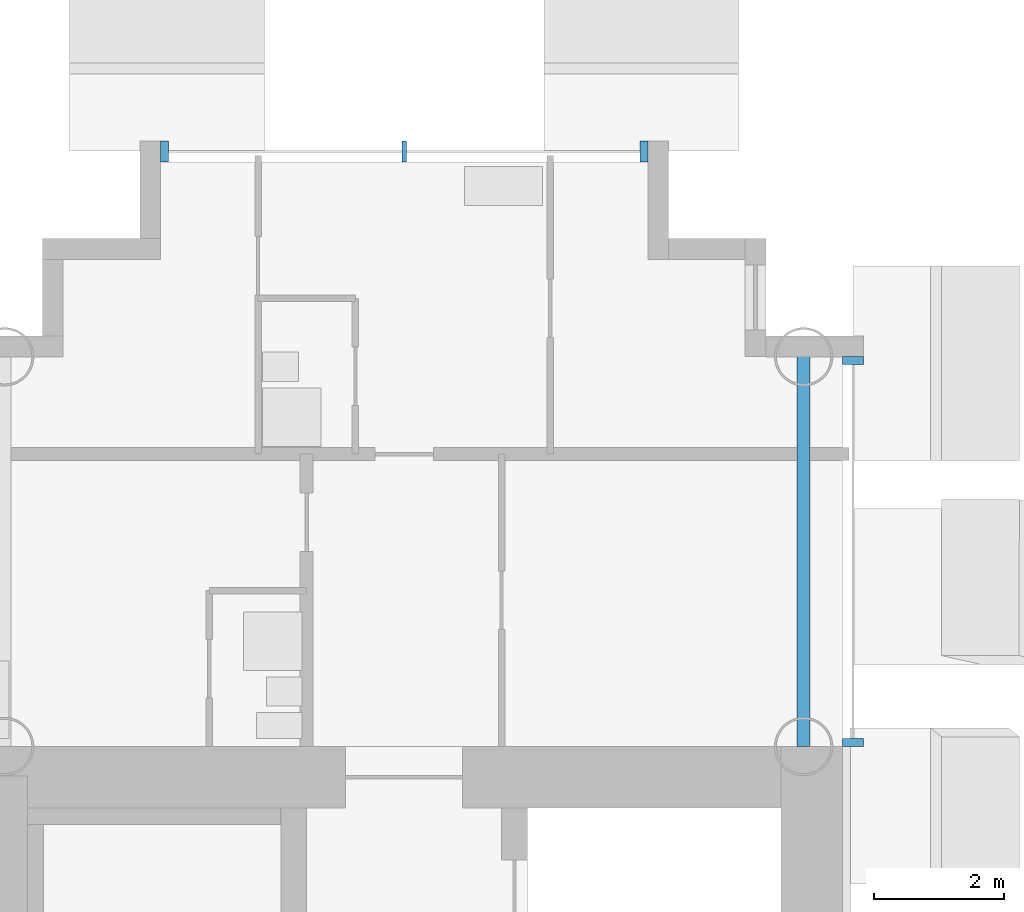
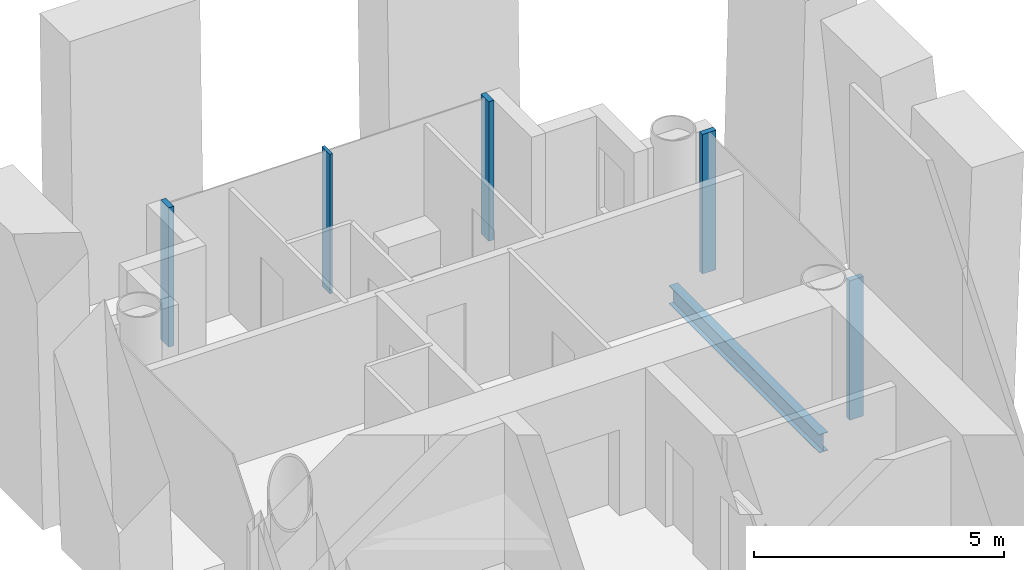
# One storey, part 6 of 20: 5 members, 1 beam, 2 elements without a shape of their own.
"""IFC4 building model written with IfcOpenShell, lengths in metres."""

from ifc_helpers import new_model, si_unit, direction, frame, origin, origin_2d, place, context, subcontext, project, spatial, rectangle, i_section, extrude, material, layer, layer_set, material_profile, profile_set, type_object, element, aggregate, save


model = new_model("IFC4")

# Units and contexts
model_context = context("Model", 3, precision=1e-05, world=origin(), true_north=direction((0.0, 1.0)))
body_context = subcontext(model_context, "Body", "Model", "MODEL_VIEW")
ifc_project = project(units=[si_unit("LENGTHUNIT", "METRE"), si_unit("AREAUNIT", "SQUARE_METRE"), si_unit("VOLUMEUNIT", "CUBIC_METRE"), si_unit("PLANEANGLEUNIT", "RADIAN"), si_unit("MASSUNIT", "GRAM", prefix="KILO")], contexts=[model_context])

# Site, building, storey
site_placement = place(None, origin())
site = spatial("IfcSite", under=ifc_project, at=site_placement, CompositionType="ELEMENT")
building_placement = place(site_placement, origin())
building = spatial("IfcBuilding", under=site, at=building_placement, Name="Ipe Terrace Towers", CompositionType="ELEMENT")
storey_placement = place(building_placement, frame((0.0, 0.0, 120.800048828125)))
storey = spatial("IfcBuildingStorey", under=building, at=storey_placement, Name="L33", CompositionType="ELEMENT", Elevation=120.800048828125)

# Beam
ifc_material_1 = material(Name="Steel S355", Category="steel")
ifc_material_profile_1 = material_profile(ifc_material_1, i_section(OverallWidth=0.199951171875, OverallDepth=0.449951171875, WebThickness=0.009033203125, FlangeThickness=0.013916015625, at=origin_2d()), Name="H-450x200x9x14")
ifc_profile_set_1 = profile_set([ifc_material_profile_1], Name="Steel S355")
beam_type = type_object("IfcBeamType", Name="H08 EDGE BEAM H-450x200x9x14", PredefinedType="BEAM", material=ifc_profile_set_1)
beam_placement = place(storey_placement, frame((42.14990234375, 15.75, -0.625), z_axis=(0.0, 1.0, 0.0), x_axis=(-1.0, 0.0, 0.0)))
element("IfcBeam", 1, at=beam_placement, inside=storey, type_object=beam_type, Name="Edge beam T2-EB-A01-A03", PredefinedType="BEAM", context=body_context, shape_type="SweptSolid", body=[
    extrude(i_section(OverallWidth=0.199951171875, OverallDepth=0.449951171875, WebThickness=0.009033203125, FlangeThickness=0.013916015625, at=origin_2d()), origin(), (0.0, 0.0, 1.0), 6.0),
])

# Curtain wall, members
ifc_material_2 = material(Name="Aluminium alloy 6063-T6", Category="aluminium")
ifc_layer = layer(ifc_material_2, 0.320068359375)
ifc_layer_set = layer_set([ifc_layer], Name="TOWER UNITISED CURTAIN WALL")
curtain_wall_type = type_object("IfcCurtainWallType", Name="TOWER UNITISED CURTAIN WALL", PredefinedType="NOTDEFINED", material=ifc_layer_set)
curtain_wall_1_placement = place(storey_placement, origin())
curtain_wall_1 = element("IfcCurtainWall", 2, at=curtain_wall_1_placement, inside=storey, type_object=curtain_wall_type, Name="T2-CW-L33-16b curtain wall", PredefinedType="NOTDEFINED")
ifc_material_3 = material(Name="Aluminium alloy 6063-T6", Category="aluminium")
ifc_material_profile_2 = material_profile(ifc_material_3, rectangle(XDim=0.320068359375, YDim=0.1201171875, at=origin_2d()), Name="TOWER UNITISED CORNER MULLION 320 x 120")
ifc_profile_set_2 = profile_set([ifc_material_profile_2], Name="Aluminium alloy 6063-T6")
member_type_1 = type_object("IfcMemberType", Name="TOWER UNITISED CORNER MULLION 320 x 120", PredefinedType="MULLION", material=ifc_profile_set_2)
member_1_placement = place(storey_placement, frame((42.909912109375, 15.81103515625, -0.300048828125), z_axis=(0.0, 0.0, 1.0), x_axis=(1.0, 0.0, 0.0)))
member_1 = element("IfcMember", 3, at=member_1_placement, type_object=member_type_1, Name="T2-CW-L33-16b mullion 1", PredefinedType="MULLION", context=body_context, shape_type="SweptSolid", body=[
    extrude(rectangle(XDim=0.320068359375, YDim=0.1201171875, at=origin_2d()), origin(), (0.0, 0.0, 1.0), 3.39990234375),
])
member_2_placement = place(storey_placement, frame((42.909912109375, 21.68994140625, -0.300048828125), z_axis=(0.0, 0.0, 1.0), x_axis=(1.0, 0.0, 0.0)))
member_2 = element("IfcMember", 4, at=member_2_placement, type_object=member_type_1, Name="T2-CW-L33-16b mullion 2", PredefinedType="MULLION", context=body_context, shape_type="SweptSolid", body=[
    extrude(rectangle(XDim=0.320068359375, YDim=0.1201171875, at=origin_2d()), origin(), (0.0, 0.0, 1.0), 3.39990234375),
])
aggregate(curtain_wall_1, [member_1, member_2])

curtain_wall_2_placement = place(storey_placement, origin())
curtain_wall_2 = element("IfcCurtainWall", 5, at=curtain_wall_2_placement, inside=storey, type_object=curtain_wall_type, Name="T2-CW-L33-21a curtain wall", PredefinedType="NOTDEFINED")
member_3_placement = place(storey_placement, frame((39.68994140625, 24.909912109375, -0.300048828125), z_axis=(0.0, 0.0, 1.0), x_axis=(0.0, 1.0, 0.0)))
member_3 = element("IfcMember", 6, at=member_3_placement, type_object=member_type_1, Name="T2-CW-L33-21a mullion 1", PredefinedType="MULLION", context=body_context, shape_type="SweptSolid", body=[
    extrude(rectangle(XDim=0.320068359375, YDim=0.1201171875, at=origin_2d()), origin(), (0.0, 0.0, 1.0), 3.39990234375),
])
member_4_placement = place(storey_placement, frame((32.31005859375, 24.909912109375, -0.300048828125), z_axis=(0.0, 0.0, 1.0), x_axis=(0.0, 1.0, 0.0)))
member_4 = element("IfcMember", 7, at=member_4_placement, type_object=member_type_1, Name="T2-CW-L33-21a mullion 3", PredefinedType="MULLION", context=body_context, shape_type="SweptSolid", body=[
    extrude(rectangle(XDim=0.320068359375, YDim=0.1201171875, at=origin_2d()), origin(), (0.0, 0.0, 1.0), 3.39990234375),
])
ifc_material_4 = material(Name="Aluminium alloy 6063-T6", Category="aluminium")
ifc_material_profile_3 = material_profile(ifc_material_4, rectangle(XDim=0.320068359375, YDim=0.06494140625, at=origin_2d()), Name="TOWER UNITISED MULLION 320 x 65")
ifc_profile_set_3 = profile_set([ifc_material_profile_3], Name="Aluminium alloy 6063-T6")
member_type_2 = type_object("IfcMemberType", Name="TOWER UNITISED MULLION 320 x 65", PredefinedType="MULLION", material=ifc_profile_set_3)
member_5_placement = place(storey_placement, frame((36.0, 24.909912109375, -0.300048828125), z_axis=(0.0, 0.0, 1.0), x_axis=(0.0, 1.0, 0.0)))
member_5 = element("IfcMember", 8, at=member_5_placement, type_object=member_type_2, Name="T2-CW-L33-21a mullion 2", PredefinedType="MULLION", context=body_context, shape_type="SweptSolid", body=[
    extrude(rectangle(XDim=0.320068359375, YDim=0.06494140625, at=origin_2d()), origin(), (0.0, 0.0, 1.0), 3.39990234375),
])
aggregate(curtain_wall_2, [member_3, member_5, member_4])

save(model, "model.ifc")
